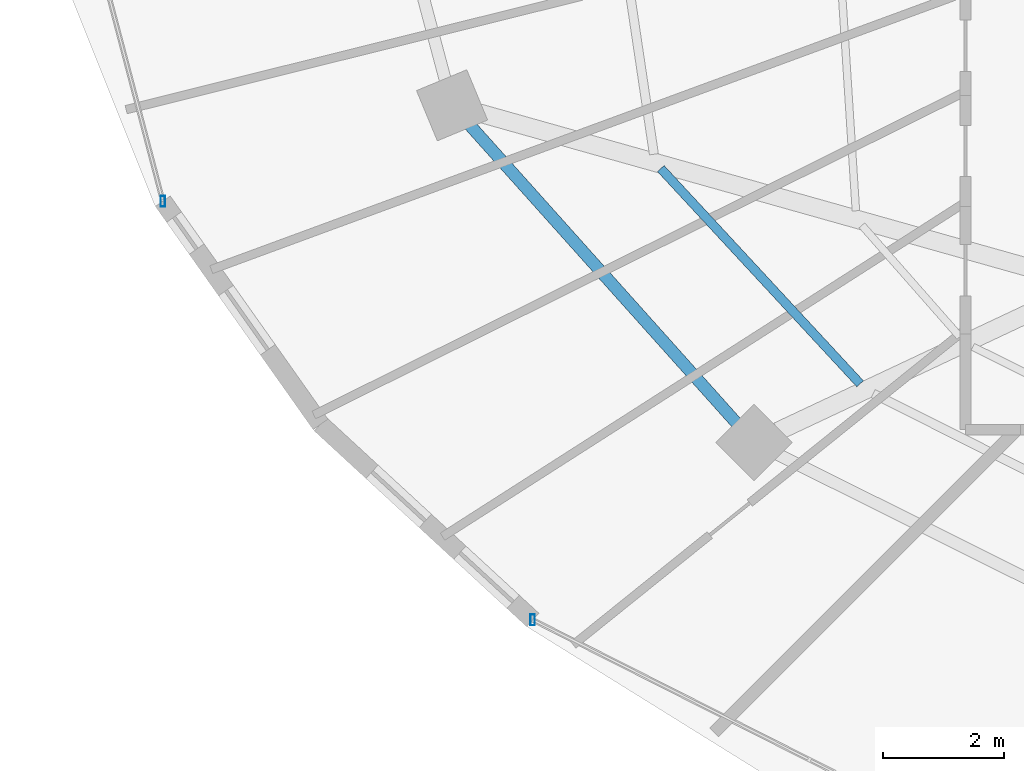
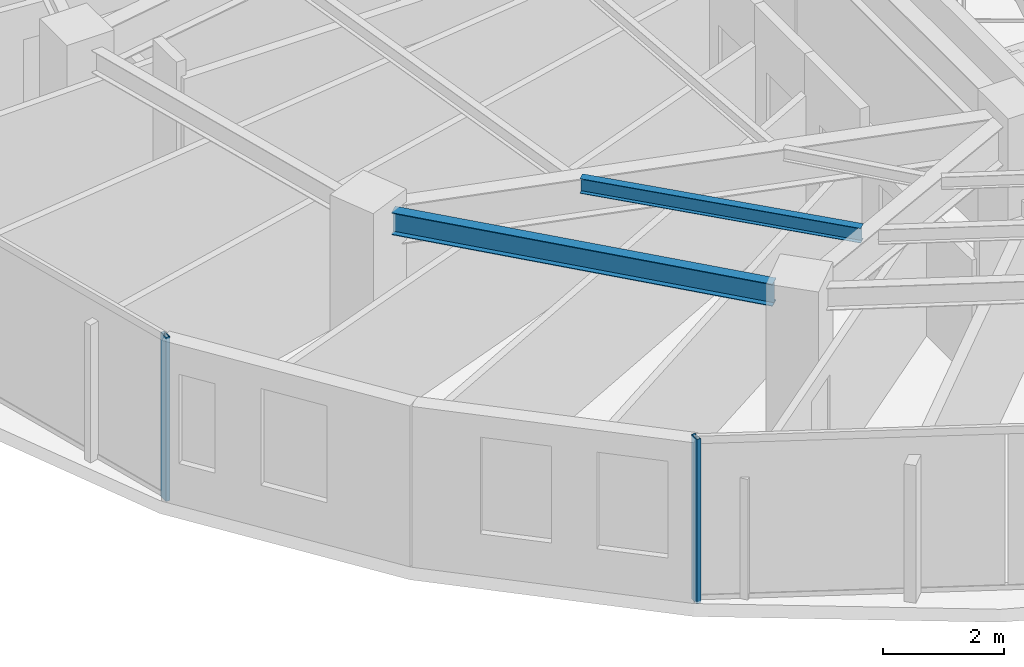
# One storey, part 2 of 31: 2 beams, 2 members, 2 elements without a shape of their own.
"""IFC4 building model written with IfcOpenShell, lengths in metres."""

from ifc_helpers import new_model, si_unit, direction, frame, origin, origin_2d, place, context, subcontext, project, spatial, hollow_rectangle, i_section, extrude, material, material_profile, profile_set, type_object, element, aggregate, save


model = new_model("IFC4")

# Units and contexts
model_context = context("Model", 3, precision=1e-05, world=origin(), true_north=direction((0.0, 1.0)))
body_context = subcontext(model_context, "Body", "Model", "MODEL_VIEW")
ifc_project = project(units=[si_unit("LENGTHUNIT", "METRE"), si_unit("AREAUNIT", "SQUARE_METRE"), si_unit("VOLUMEUNIT", "CUBIC_METRE"), si_unit("PLANEANGLEUNIT", "RADIAN"), si_unit("MASSUNIT", "GRAM", prefix="KILO")], contexts=[model_context])

# Site, building, storey
site_placement = place(None, origin())
site = spatial("IfcSite", under=ifc_project, at=site_placement, CompositionType="ELEMENT")
building_placement = place(site_placement, origin())
building = spatial("IfcBuilding", under=site, at=building_placement, Name="Vorneva Point Tower", CompositionType="ELEMENT")
storey_placement = place(building_placement, frame((0.0, 0.0, 193.10009765625)))
storey = spatial("IfcBuildingStorey", under=building, at=storey_placement, Name="L52", CompositionType="ELEMENT", Elevation=193.10009765625)

# Beams
ifc_material_1 = material(Name="Steel S355", Category="steel")
ifc_material_profile_1 = material_profile(ifc_material_1, i_section(OverallWidth=0.14892578125, OverallDepth=0.298095703125, WebThickness=0.005615234375, FlangeThickness=0.008056640625, at=origin_2d()), Name="30B1")
ifc_profile_set_1 = profile_set([ifc_material_profile_1], Name="Steel S355")
beam_type_1 = type_object("IfcBeamType", Name="BM-JST-30B1", PredefinedType="JOIST", material=ifc_profile_set_1)
beam_1_placement = place(storey_placement, frame((20.158935546875, 18.370849609375, 3.0908203125), z_axis=(0.679528381366, -0.733649220622, 0.0), x_axis=(0.733649220622, 0.679528381366, 0.0)))
element("IfcBeam", 1, at=beam_1_placement, inside=storey, type_object=beam_type_1, Name="L52 Secondary Floor Beam 1.10", PredefinedType="JOIST", context=body_context, shape_type="SweptSolid", body=[
    extrude(i_section(OverallWidth=0.14892578125, OverallDepth=0.298095703125, WebThickness=0.005615234375, FlangeThickness=0.008056640625, at=origin_2d()), origin(), (0.0, 0.0, 1.0), 4.853759765625),
])
ifc_material_profile_2 = material_profile(ifc_material_1, i_section(OverallWidth=0.198974609375, OverallDepth=0.446044921875, WebThickness=0.008056640625, FlangeThickness=0.011962890625, at=origin_2d()), Name="45B1")
ifc_profile_set_2 = profile_set([ifc_material_profile_2], Name="Steel S355")
beam_type_2 = type_object("IfcBeamType", Name="BM-SPN-45B1", PredefinedType="SPANDREL", material=ifc_profile_set_2)
beam_2_placement = place(storey_placement, frame((16.994873046875, 19.09375, 3.016845703125), z_axis=(0.66706970547, -0.744995307397, 0.0), x_axis=(0.744995307397, 0.66706970547, 0.0)))
element("IfcBeam", 2, at=beam_2_placement, inside=storey, type_object=beam_type_2, Name="L52 Perimeter Spandrel Ring Beam 10", PredefinedType="SPANDREL", context=body_context, shape_type="SweptSolid", body=[
    extrude(i_section(OverallWidth=0.198974609375, OverallDepth=0.446044921875, WebThickness=0.008056640625, FlangeThickness=0.011962890625, at=origin_2d()), origin(), (0.0, 0.0, 1.0), 6.6201171875),
])

# Curtain wall, member
ifc_material_2 = material(Name="Pale anodised aluminium", Category="aluminium")
curtain_wall_type = type_object("IfcCurtainWallType", Name="CW-RES-SYS", PredefinedType="NOTDEFINED", material=ifc_material_2)
curtain_wall_1_placement = place(storey_placement, origin())
curtain_wall_1 = element("IfcCurtainWall", 3, at=curtain_wall_1_placement, inside=storey, type_object=curtain_wall_type, Name="L52 Unitised Curtain Wall CW-L52-R03", PredefinedType="NOTDEFINED")
ifc_material_profile_3 = material_profile(ifc_material_2, hollow_rectangle(XDim=0.074951171875, YDim=0.179931640625, WallThickness=0.00390625, at=origin_2d()), Name="AL-MUL 180x75x4")
ifc_profile_set_3 = profile_set([ifc_material_profile_3], Name="Pale anodised aluminium")
member_type = type_object("IfcMemberType", Name="CW-MUL-180", PredefinedType="MULLION", material=ifc_profile_set_3)
member_1_placement = place(storey_placement, frame((11.9189453125, 17.82958984375, -0.0400390625), z_axis=(0.0, 0.0, 1.0), x_axis=(1.0, 0.0, 0.0)))
member_1 = element("IfcMember", 4, at=member_1_placement, type_object=member_type, Name="CW-L52-R03 Mullion 03", PredefinedType="MULLION", context=body_context, shape_type="SweptSolid", body=[
    extrude(hollow_rectangle(XDim=0.074951171875, YDim=0.179931640625, WallThickness=0.00390625, at=origin_2d()), origin(), (0.0, 0.0, 1.0), 3.31005859375),
])
aggregate(curtain_wall_1, [member_1])

curtain_wall_2_placement = place(storey_placement, origin())
curtain_wall_2 = element("IfcCurtainWall", 5, at=curtain_wall_2_placement, inside=storey, type_object=curtain_wall_type, Name="L52 Unitised Curtain Wall CW-L52-R04", PredefinedType="NOTDEFINED")
member_2_placement = place(storey_placement, frame((18.038330078125, 10.9033203125, -0.0400390625), z_axis=(0.0, 0.0, 1.0), x_axis=(1.0, 0.0, 0.0)))
member_2 = element("IfcMember", 6, at=member_2_placement, type_object=member_type, Name="CW-L52-R04 Mullion 01", PredefinedType="MULLION", context=body_context, shape_type="SweptSolid", body=[
    extrude(hollow_rectangle(XDim=0.074951171875, YDim=0.179931640625, WallThickness=0.00390625, at=origin_2d()), origin(), (0.0, 0.0, 1.0), 3.31005859375),
])
aggregate(curtain_wall_2, [member_2])

save(model, "model.ifc")
